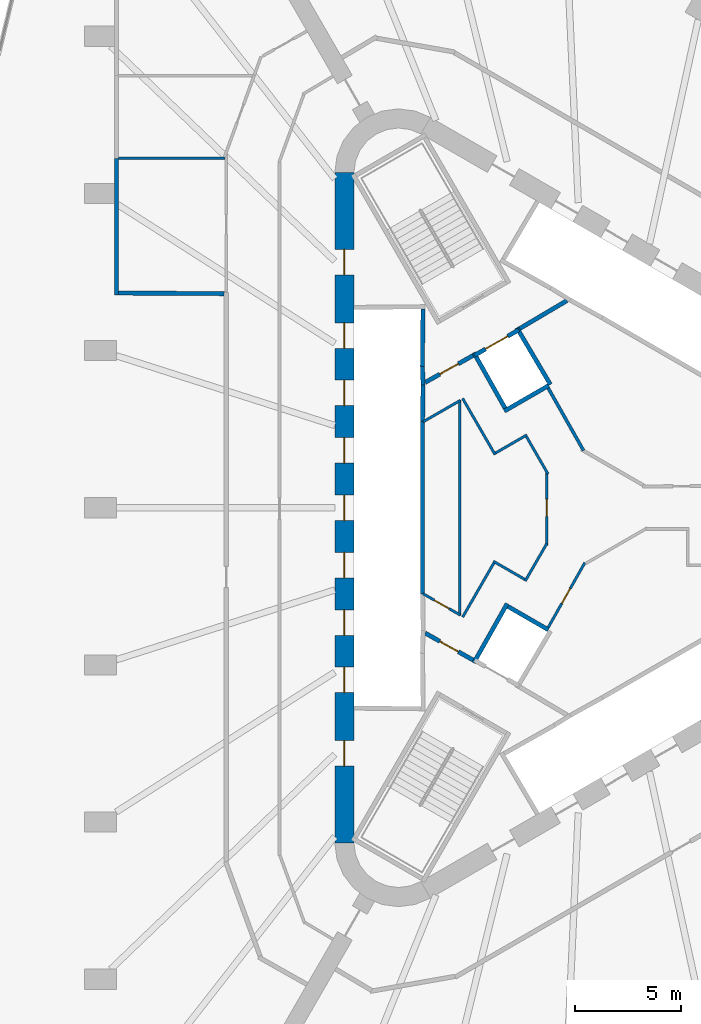
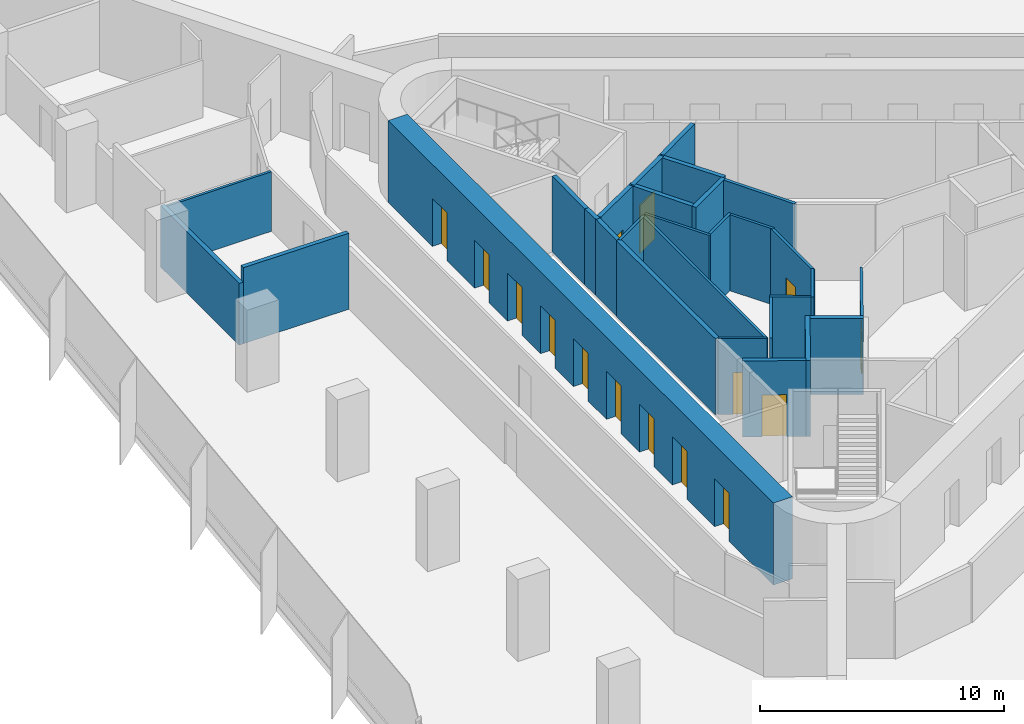
# One storey, part 10 of 14: 29 walls, 15 doors, 15 openings.
"""IFC4 building model written with IfcOpenShell, lengths in metres."""

from ifc_helpers import new_model, si_unit, direction, frame, frame_2d, origin, place, context, subcontext, project, spatial, rectangle, extrude, material, layer, layer_set, type_object, element, fill, save


model = new_model("IFC4")

# Units and contexts
model_context = context("Model", 3, precision=1e-05, world=origin(), true_north=direction((0.0, 1.0)))
body_context = subcontext(model_context, "Body", "Model", "MODEL_VIEW")
ifc_project = project(units=[si_unit("LENGTHUNIT", "METRE"), si_unit("AREAUNIT", "SQUARE_METRE"), si_unit("VOLUMEUNIT", "CUBIC_METRE"), si_unit("PLANEANGLEUNIT", "RADIAN"), si_unit("MASSUNIT", "GRAM", prefix="KILO")], contexts=[model_context])

# Site, building, storey
site_placement = place(None, origin())
site = spatial("IfcSite", under=ifc_project, at=site_placement, CompositionType="ELEMENT")
building_placement = place(site_placement, origin())
building = spatial("IfcBuilding", under=site, at=building_placement, Name="Tanit Gate Tower", CompositionType="ELEMENT")
storey_placement = place(building_placement, frame((0.0, 0.0, 90.60009765625)))
storey = spatial("IfcBuildingStorey", under=building, at=storey_placement, Name="L18", CompositionType="ELEMENT", Elevation=90.60009765625)

# Wall, openings, doors
ifc_material_1 = material(Name="Concrete C60/75", Category="concrete")
ifc_layer_1 = layer(ifc_material_1, 0.89990234375)
ifc_layer_set_1 = layer_set([ifc_layer_1], Name="CORE WALL 900 C60/75")
wall_type_1 = type_object("IfcWallType", Name="CORE WALL 900 C60/75", PredefinedType="SHEAR", material=ifc_layer_set_1)
wall_1_placement = place(storey_placement, frame((-11.64990234375, 15.76171875, 0.0), z_axis=(0.0, 0.0, 1.0), x_axis=(0.0, -1.0, 0.0)))
wall_1 = element("IfcWall", 1, at=wall_1_placement, inside=storey, type_object=wall_type_1, Name="CORE WALL", PredefinedType="SHEAR", context=body_context, shape_type="SweptSolid", body=[
    extrude(rectangle(XDim=31.5234375, YDim=0.89990234375, at=frame_2d((15.76171875, 0.0))), origin(), (0.0, 0.0, 1.0), 4.099853515625),
])
opening_1_placement = place(wall_1_placement, frame((7.061767578125, 0.0, 0.0)))
opening_1 = element("IfcOpeningElement", 2, at=opening_1_placement, cuts=wall_1, Name="Opening LDLL1-S03", PredefinedType="OPENING", context=body_context, shape_type="SweptSolid", body=[
    extrude(rectangle(XDim=1.199951171875, YDim=2.39990234375, at=frame_2d((0.60009765625, 1.199951171875))), frame((0.0, 0.4599609375, 0.0), z_axis=(0.0, -1.0, 0.0), x_axis=(1.0, 0.0, 0.0)), (0.0, 0.0, 1.0), 0.919921875),
])
opening_2_placement = place(wall_1_placement, frame((9.76171875, 0.0, 0.0)))
opening_2 = element("IfcOpeningElement", 3, at=opening_2_placement, cuts=wall_1, Name="Opening LDLL2-S03", PredefinedType="OPENING", context=body_context, shape_type="SweptSolid", body=[
    extrude(rectangle(XDim=1.199951171875, YDim=2.39990234375, at=frame_2d((0.60009765625, 1.199951171875))), frame((0.0, 0.4599609375, 0.0), z_axis=(0.0, -1.0, 0.0), x_axis=(1.0, 0.0, 0.0)), (0.0, 0.0, 1.0), 0.919921875),
])
opening_3_placement = place(wall_1_placement, frame((12.461669921875, 0.0, 0.0)))
opening_3 = element("IfcOpeningElement", 4, at=opening_3_placement, cuts=wall_1, Name="Opening LDLL3-S03", PredefinedType="OPENING", context=body_context, shape_type="SweptSolid", body=[
    extrude(rectangle(XDim=1.199951171875, YDim=2.39990234375, at=frame_2d((0.60009765625, 1.199951171875))), frame((0.0, 0.4599609375, 0.0), z_axis=(0.0, -1.0, 0.0), x_axis=(1.0, 0.0, 0.0)), (0.0, 0.0, 1.0), 0.919921875),
])
opening_4_placement = place(wall_1_placement, frame((15.16162109375, 0.0, 0.0)))
opening_4 = element("IfcOpeningElement", 5, at=opening_4_placement, cuts=wall_1, Name="Opening LDLL4-S03", PredefinedType="OPENING", context=body_context, shape_type="SweptSolid", body=[
    extrude(rectangle(XDim=1.199951171875, YDim=2.39990234375, at=frame_2d((0.60009765625, 1.199951171875))), frame((0.0, 0.4599609375, 0.0), z_axis=(0.0, -1.0, 0.0), x_axis=(1.0, 0.0, 0.0)), (0.0, 0.0, 1.0), 0.919921875),
])
opening_5_placement = place(wall_1_placement, frame((17.86181640625, 0.0, 0.0)))
opening_5 = element("IfcOpeningElement", 6, at=opening_5_placement, cuts=wall_1, Name="Opening LDLL5-S03", PredefinedType="OPENING", context=body_context, shape_type="SweptSolid", body=[
    extrude(rectangle(XDim=1.199951171875, YDim=2.39990234375, at=frame_2d((0.60009765625, 1.199951171875))), frame((0.0, 0.4599609375, 0.0), z_axis=(0.0, -1.0, 0.0), x_axis=(1.0, 0.0, 0.0)), (0.0, 0.0, 1.0), 0.919921875),
])
opening_6_placement = place(wall_1_placement, frame((20.561767578125, 0.0, 0.0)))
opening_6 = element("IfcOpeningElement", 7, at=opening_6_placement, cuts=wall_1, Name="Opening LDLL6-S03", PredefinedType="OPENING", context=body_context, shape_type="SweptSolid", body=[
    extrude(rectangle(XDim=1.199951171875, YDim=2.39990234375, at=frame_2d((0.60009765625, 1.199951171875))), frame((0.0, 0.4599609375, 0.0), z_axis=(0.0, -1.0, 0.0), x_axis=(1.0, 0.0, 0.0)), (0.0, 0.0, 1.0), 0.919921875),
])
opening_7_placement = place(wall_1_placement, frame((23.26171875, 0.0, 0.0)))
opening_7 = element("IfcOpeningElement", 8, at=opening_7_placement, cuts=wall_1, Name="Opening LDLL7-S03", PredefinedType="OPENING", context=body_context, shape_type="SweptSolid", body=[
    extrude(rectangle(XDim=1.199951171875, YDim=2.39990234375, at=frame_2d((0.60009765625, 1.199951171875))), frame((0.0, 0.4599609375, 0.0), z_axis=(0.0, -1.0, 0.0), x_axis=(1.0, 0.0, 0.0)), (0.0, 0.0, 1.0), 0.919921875),
])
opening_8_placement = place(wall_1_placement, frame((3.61181640625, 0.0, 0.0)))
opening_8 = element("IfcOpeningElement", 9, at=opening_8_placement, cuts=wall_1, Name="Opening F12-S03-FL2", PredefinedType="OPENING", context=body_context, shape_type="SweptSolid", body=[
    extrude(rectangle(XDim=1.199951171875, YDim=2.39990234375, at=frame_2d((0.60009765625, 1.199951171875))), frame((0.0, 0.4599609375, 0.0), z_axis=(0.0, -1.0, 0.0), x_axis=(1.0, 0.0, 0.0)), (0.0, 0.0, 1.0), 0.919921875),
])
opening_9_placement = place(wall_1_placement, frame((26.711669921875, 0.0, 0.0)))
opening_9 = element("IfcOpeningElement", 10, at=opening_9_placement, cuts=wall_1, Name="Opening F12-S03-S3", PredefinedType="OPENING", context=body_context, shape_type="SweptSolid", body=[
    extrude(rectangle(XDim=1.199951171875, YDim=2.39990234375, at=frame_2d((0.60009765625, 1.199951171875))), frame((0.0, 0.4599609375, 0.0), z_axis=(0.0, -1.0, 0.0), x_axis=(1.0, 0.0, 0.0)), (0.0, 0.0, 1.0), 0.919921875),
])
ifc_material_2 = material(Name="Fire-rated steel door leaf", Category="steel")
door_type_1 = type_object("IfcDoorType", Name="INT-DOOR-FIRE-LOBBY-1200", OperationType="NOTDEFINED", PredefinedType="USERDEFINED", material=ifc_material_2)
door_1_placement = place(opening_8_placement, origin())
door_1 = element("IfcDoor", 11, at=door_1_placement, inside=storey, type_object=door_type_1, Name="Door F12-S03-FL2", ObjectType="FIRE DOOR", OperationType="SINGLE_SWING_LEFT", OverallHeight=2.39990234375, OverallWidth=1.199951171875, PredefinedType="USERDEFINED", context=body_context, shape_type="SweptSolid", body=[
    extrude(rectangle(XDim=1.199951171875, YDim=2.39990234375, at=frame_2d((0.60009765625, 1.199951171875))), frame((0.0, 0.02490234375, 0.0), z_axis=(0.0, -1.0, 0.0), x_axis=(1.0, 0.0, 0.0)), (0.0, 0.0, 1.0), 0.050048828125),
])
fill(opening_8, door_1)
door_2_placement = place(opening_9_placement, origin())
door_2 = element("IfcDoor", 12, at=door_2_placement, inside=storey, type_object=door_type_1, Name="Door F12-S03-S3", ObjectType="FIRE DOOR", OperationType="SINGLE_SWING_RIGHT", OverallHeight=2.39990234375, OverallWidth=1.199951171875, PredefinedType="USERDEFINED", context=body_context, shape_type="SweptSolid", body=[
    extrude(rectangle(XDim=1.199951171875, YDim=2.39990234375, at=frame_2d((0.60009765625, 1.199951171875))), frame((0.0, 0.02490234375, 0.0), z_axis=(0.0, -1.0, 0.0), x_axis=(1.0, 0.0, 0.0)), (0.0, 0.0, 1.0), 0.050048828125),
])
fill(opening_9, door_2)
ifc_material_3 = material(Name="Stainless steel sliding door leaf", Category="steel")
door_type_2 = type_object("IfcDoorType", Name="INT-DOOR-LANDING-1200", OperationType="NOTDEFINED", PredefinedType="USERDEFINED", material=ifc_material_3)
door_3_placement = place(opening_1_placement, origin())
door_3 = element("IfcDoor", 13, at=door_3_placement, inside=storey, type_object=door_type_2, Name="Door LDLL1-S03", ObjectType="LANDING DOOR", OperationType="SLIDING_TO_LEFT", OverallHeight=2.39990234375, OverallWidth=1.199951171875, PredefinedType="USERDEFINED", context=body_context, shape_type="SweptSolid", body=[
    extrude(rectangle(XDim=1.199951171875, YDim=2.39990234375, at=frame_2d((0.60009765625, 1.199951171875))), frame((0.0, 0.02490234375, 0.0), z_axis=(0.0, -1.0, 0.0), x_axis=(1.0, 0.0, 0.0)), (0.0, 0.0, 1.0), 0.050048828125),
])
fill(opening_1, door_3)
door_4_placement = place(opening_2_placement, origin())
door_4 = element("IfcDoor", 14, at=door_4_placement, inside=storey, type_object=door_type_2, Name="Door LDLL2-S03", ObjectType="LANDING DOOR", OperationType="SLIDING_TO_LEFT", OverallHeight=2.39990234375, OverallWidth=1.199951171875, PredefinedType="USERDEFINED", context=body_context, shape_type="SweptSolid", body=[
    extrude(rectangle(XDim=1.199951171875, YDim=2.39990234375, at=frame_2d((0.60009765625, 1.199951171875))), frame((0.0, 0.02490234375, 0.0), z_axis=(0.0, -1.0, 0.0), x_axis=(1.0, 0.0, 0.0)), (0.0, 0.0, 1.0), 0.050048828125),
])
fill(opening_2, door_4)
door_5_placement = place(opening_3_placement, origin())
door_5 = element("IfcDoor", 15, at=door_5_placement, inside=storey, type_object=door_type_2, Name="Door LDLL3-S03", ObjectType="LANDING DOOR", OperationType="SLIDING_TO_LEFT", OverallHeight=2.39990234375, OverallWidth=1.199951171875, PredefinedType="USERDEFINED", context=body_context, shape_type="SweptSolid", body=[
    extrude(rectangle(XDim=1.199951171875, YDim=2.39990234375, at=frame_2d((0.60009765625, 1.199951171875))), frame((0.0, 0.02490234375, 0.0), z_axis=(0.0, -1.0, 0.0), x_axis=(1.0, 0.0, 0.0)), (0.0, 0.0, 1.0), 0.050048828125),
])
fill(opening_3, door_5)
door_6_placement = place(opening_4_placement, origin())
door_6 = element("IfcDoor", 16, at=door_6_placement, inside=storey, type_object=door_type_2, Name="Door LDLL4-S03", ObjectType="LANDING DOOR", OperationType="SLIDING_TO_LEFT", OverallHeight=2.39990234375, OverallWidth=1.199951171875, PredefinedType="USERDEFINED", context=body_context, shape_type="SweptSolid", body=[
    extrude(rectangle(XDim=1.199951171875, YDim=2.39990234375, at=frame_2d((0.60009765625, 1.199951171875))), frame((0.0, 0.02490234375, 0.0), z_axis=(0.0, -1.0, 0.0), x_axis=(1.0, 0.0, 0.0)), (0.0, 0.0, 1.0), 0.050048828125),
])
fill(opening_4, door_6)
door_7_placement = place(opening_5_placement, origin())
door_7 = element("IfcDoor", 17, at=door_7_placement, inside=storey, type_object=door_type_2, Name="Door LDLL5-S03", ObjectType="LANDING DOOR", OperationType="SLIDING_TO_LEFT", OverallHeight=2.39990234375, OverallWidth=1.199951171875, PredefinedType="USERDEFINED", context=body_context, shape_type="SweptSolid", body=[
    extrude(rectangle(XDim=1.199951171875, YDim=2.39990234375, at=frame_2d((0.60009765625, 1.199951171875))), frame((0.0, 0.02490234375, 0.0), z_axis=(0.0, -1.0, 0.0), x_axis=(1.0, 0.0, 0.0)), (0.0, 0.0, 1.0), 0.050048828125),
])
fill(opening_5, door_7)
door_8_placement = place(opening_6_placement, origin())
door_8 = element("IfcDoor", 18, at=door_8_placement, inside=storey, type_object=door_type_2, Name="Door LDLL6-S03", ObjectType="LANDING DOOR", OperationType="SLIDING_TO_LEFT", OverallHeight=2.39990234375, OverallWidth=1.199951171875, PredefinedType="USERDEFINED", context=body_context, shape_type="SweptSolid", body=[
    extrude(rectangle(XDim=1.199951171875, YDim=2.39990234375, at=frame_2d((0.60009765625, 1.199951171875))), frame((0.0, 0.02490234375, 0.0), z_axis=(0.0, -1.0, 0.0), x_axis=(1.0, 0.0, 0.0)), (0.0, 0.0, 1.0), 0.050048828125),
])
fill(opening_6, door_8)
door_9_placement = place(opening_7_placement, origin())
door_9 = element("IfcDoor", 19, at=door_9_placement, inside=storey, type_object=door_type_2, Name="Door LDLL7-S03", ObjectType="LANDING DOOR", OperationType="SLIDING_TO_LEFT", OverallHeight=2.39990234375, OverallWidth=1.199951171875, PredefinedType="USERDEFINED", context=body_context, shape_type="SweptSolid", body=[
    extrude(rectangle(XDim=1.199951171875, YDim=2.39990234375, at=frame_2d((0.60009765625, 1.199951171875))), frame((0.0, 0.02490234375, 0.0), z_axis=(0.0, -1.0, 0.0), x_axis=(1.0, 0.0, 0.0)), (0.0, 0.0, 1.0), 0.050048828125),
])
fill(opening_7, door_9)

# Wall
ifc_material_4 = material(Name="Fire-rated gypsum board partition")
ifc_layer_2 = layer(ifc_material_4, 0.199951171875)
ifc_layer_set_2 = layer_set([ifc_layer_2], Name="INT-WALL-COMPARTMENT")
wall_type_2 = type_object("IfcWallType", Name="INT-WALL-COMPARTMENT", PredefinedType="PARTITIONING", material=ifc_layer_set_2)
wall_2_placement = place(storey_placement, frame((-1.1796875, 9.744384765625, 0.0), z_axis=(0.0, 0.0, 1.0), x_axis=(-0.860615607571, -0.509255118781, 0.0)))
element("IfcWall", 20, at=wall_2_placement, inside=storey, type_object=wall_type_2, Name="Wall Compartment W061", PredefinedType="PARTITIONING", context=body_context, shape_type="SweptSolid", body=[
    extrude(rectangle(XDim=2.58056640625, YDim=0.199951171875, at=frame_2d((1.290283203125, 0.0))), origin(), (0.0, 0.0, 1.0), 3.7998046875),
])

# Wall, opening, door
wall_3_placement = place(storey_placement, frame((-5.600341796875, 7.16015625, 0.0), z_axis=(0.0, 0.0, 1.0), x_axis=(-0.871363259478, -0.490638431059, 0.0)))
wall_3 = element("IfcWall", 21, at=wall_3_placement, inside=storey, type_object=wall_type_2, Name="Wall Compartment W062", PredefinedType="PARTITIONING", context=body_context, shape_type="SweptSolid", body=[
    extrude(rectangle(XDim=2.5810546875, YDim=0.199951171875, at=frame_2d((1.29052734375, 0.0))), origin(), (0.0, 0.0, 1.0), 3.7998046875),
])
opening_10_placement = place(wall_3_placement, frame((0.79052734375, 0.0, 0.0)))
opening_10 = element("IfcOpeningElement", 22, at=opening_10_placement, cuts=wall_3, Name="Opening F10-S03-05", PredefinedType="OPENING", context=body_context, shape_type="SweptSolid", body=[
    extrude(rectangle(XDim=1.0, YDim=2.10009765625, at=frame_2d((0.5, 1.050048828125))), frame((0.0, 0.10986328125, 0.0), z_axis=(0.0, -1.0, 0.0), x_axis=(1.0, 0.0, 0.0)), (0.0, 0.0, 1.0), 0.219970703125),
])
ifc_material_5 = material(Name="Fire-rated steel door leaf", Category="steel")
door_type_3 = type_object("IfcDoorType", Name="INT-DOOR-FIRE-1000", OperationType="NOTDEFINED", PredefinedType="USERDEFINED", material=ifc_material_5)
door_10_placement = place(opening_10_placement, origin())
door_10 = element("IfcDoor", 23, at=door_10_placement, inside=storey, type_object=door_type_3, Name="Door F10-S03-05", ObjectType="FIRE DOOR", OperationType="SINGLE_SWING_RIGHT", OverallHeight=2.10009765625, OverallWidth=1.0, PredefinedType="USERDEFINED", context=body_context, shape_type="SweptSolid", body=[
    extrude(rectangle(XDim=1.0, YDim=2.10009765625, at=frame_2d((0.5, 1.050048828125))), frame((0.0, 0.02490234375, 0.0), z_axis=(0.0, -1.0, 0.0), x_axis=(1.0, 0.0, 0.0)), (0.0, 0.0, 1.0), 0.050048828125),
])
fill(opening_10, door_10)

wall_4_placement = place(storey_placement, frame((-7.849365234375, -5.893798828125, 0.0), z_axis=(0.0, 0.0, 1.0), x_axis=(0.871363259478, -0.490638431059, 0.0)))
wall_4 = element("IfcWall", 24, at=wall_4_placement, inside=storey, type_object=wall_type_2, Name="Wall Compartment W064", PredefinedType="PARTITIONING", context=body_context, shape_type="SweptSolid", body=[
    extrude(rectangle(XDim=2.5810546875, YDim=0.199951171875, at=frame_2d((1.29052734375, 0.0))), origin(), (0.0, 0.0, 1.0), 3.7998046875),
])
opening_11_placement = place(wall_4_placement, frame((0.79052734375, 0.0, 0.0)))
opening_11 = element("IfcOpeningElement", 25, at=opening_11_placement, cuts=wall_4, Name="Opening F10-S03-08", PredefinedType="OPENING", context=body_context, shape_type="SweptSolid", body=[
    extrude(rectangle(XDim=1.0, YDim=2.10009765625, at=frame_2d((0.5, 1.050048828125))), frame((0.0, 0.10986328125, 0.0), z_axis=(0.0, -1.0, 0.0), x_axis=(1.0, 0.0, 0.0)), (0.0, 0.0, 1.0), 0.219970703125),
])
door_11_placement = place(opening_11_placement, origin())
door_11 = element("IfcDoor", 26, at=door_11_placement, inside=storey, type_object=door_type_3, Name="Door F10-S03-08", ObjectType="FIRE DOOR", OperationType="SINGLE_SWING_LEFT", OverallHeight=2.10009765625, OverallWidth=1.0, PredefinedType="USERDEFINED", context=body_context, shape_type="SweptSolid", body=[
    extrude(rectangle(XDim=1.0, YDim=2.10009765625, at=frame_2d((0.5, 1.050048828125))), frame((0.0, 0.02490234375, 0.0), z_axis=(0.0, -1.0, 0.0), x_axis=(1.0, 0.0, 0.0)), (0.0, 0.0, 1.0), 0.050048828125),
])
fill(opening_11, door_11)

# Walls
wall_5_placement = place(storey_placement, frame((-22.3701171875, 10.0, 0.0), z_axis=(0.0, 0.0, 1.0), x_axis=(0.0, 1.0, 0.0)))
element("IfcWall", 27, at=wall_5_placement, inside=storey, type_object=wall_type_2, Name="Wall Compartment W111", PredefinedType="PARTITIONING", context=body_context, shape_type="SweptSolid", body=[
    extrude(rectangle(XDim=6.431396484375, YDim=0.199951171875, at=frame_2d((3.2158203125, 0.0))), origin(), (0.0, 0.0, 1.0), 3.079833984375),
])
wall_6_placement = place(storey_placement, frame((-17.300048828125, 10.070556640625, 0.0), z_axis=(0.0, 0.0, 1.0), x_axis=(-0.999983200532, 0.005796434527, 0.0)))
element("IfcWall", 28, at=wall_6_placement, inside=storey, type_object=wall_type_2, Name="Wall Compartment W112", PredefinedType="PARTITIONING", context=body_context, shape_type="SweptSolid", body=[
    extrude(rectangle(XDim=4.969970703125, YDim=0.199951171875, at=frame_2d((2.48486328125, 0.0))), origin(), (0.0, 0.0, 1.0), 3.7998046875),
])

# Wall, opening, door
ifc_material_6 = material(Name="Gypsum board partition")
ifc_layer_3 = layer(ifc_material_6, 0.1201171875)
ifc_layer_set_3 = layer_set([ifc_layer_3], Name="INT-WALL-PARTITION")
wall_type_3 = type_object("IfcWallType", Name="INT-WALL-PARTITION", PredefinedType="PARTITIONING", material=ifc_layer_set_3)
wall_7_placement = place(storey_placement, frame((-0.339599609375, -2.58642578125, 0.0), z_axis=(0.0, 0.0, 1.0), x_axis=(-0.492647196214, -0.870229130782, 0.0)))
wall_7 = element("IfcWall", 29, at=wall_7_placement, inside=storey, type_object=wall_type_3, Name="Wall Partition W068", PredefinedType="PARTITIONING", context=body_context, shape_type="SweptSolid", body=[
    extrude(rectangle(XDim=3.490234375, YDim=0.1201171875, at=frame_2d((1.7451171875, 0.0))), origin(), (0.0, 0.0, 1.0), 3.7998046875),
])
opening_12_placement = place(wall_7_placement, frame((1.396240234375, 0.0, 0.0)))
opening_12 = element("IfcOpeningElement", 30, at=opening_12_placement, cuts=wall_7, Name="Opening R08-S03-11", PredefinedType="OPENING", context=body_context, shape_type="SweptSolid", body=[
    extrude(rectangle(XDim=0.800048828125, YDim=2.10009765625, at=frame_2d((0.39990234375, 1.050048828125))), frame((0.0, 0.070068359375, 0.0), z_axis=(0.0, -1.0, 0.0), x_axis=(1.0, 0.0, 0.0)), (0.0, 0.0, 1.0), 0.14013671875),
])
ifc_material_7 = material(Name="Timber door leaf", Category="wood")
door_type_4 = type_object("IfcDoorType", Name="INT-DOOR-RISER-800", OperationType="NOTDEFINED", PredefinedType="USERDEFINED", material=ifc_material_7)
door_12_placement = place(opening_12_placement, origin())
door_12 = element("IfcDoor", 31, at=door_12_placement, inside=storey, type_object=door_type_4, Name="Door R08-S03-11", ObjectType="FIRE DOOR", OperationType="SINGLE_SWING_RIGHT", OverallHeight=2.10009765625, OverallWidth=0.800048828125, PredefinedType="USERDEFINED", context=body_context, shape_type="SweptSolid", body=[
    extrude(rectangle(XDim=0.800048828125, YDim=2.10009765625, at=frame_2d((0.39990234375, 1.050048828125))), frame((0.0, 0.02490234375, 0.0), z_axis=(0.0, -1.0, 0.0), x_axis=(1.0, 0.0, 0.0)), (0.0, 0.0, 1.0), 0.050048828125),
])
fill(opening_12, door_12)

# Wall
wall_8_placement = place(storey_placement, frame((-6.2314453125, 5.0625, 0.0), z_axis=(0.0, 0.0, 1.0), x_axis=(0.0, -1.0, 0.0)))
element("IfcWall", 32, at=wall_8_placement, inside=storey, type_object=wall_type_3, Name="Wall Partition W074", PredefinedType="PARTITIONING", context=body_context, shape_type="SweptSolid", body=[
    extrude(rectangle(XDim=10.125, YDim=0.1201171875, at=frame_2d((5.0625, 0.0))), origin(), (0.0, 0.0, 1.0), 3.7998046875),
])

# Wall, opening, door
wall_9_placement = place(storey_placement, frame((-7.949951171875, -4.041015625, 0.0), z_axis=(0.0, 0.0, 1.0), x_axis=(0.867071050325, -0.498184497639, 0.0)))
wall_9 = element("IfcWall", 33, at=wall_9_placement, inside=storey, type_object=wall_type_3, Name="Wall Partition W075", PredefinedType="PARTITIONING", context=body_context, shape_type="SweptSolid", body=[
    extrude(rectangle(XDim=2.0166015625, YDim=0.1201171875, at=frame_2d((1.00830078125, 0.0))), origin(), (0.0, 0.0, 1.0), 3.7998046875),
])
opening_13_placement = place(wall_9_placement, frame((0.6083984375, 0.0, 0.0)))
opening_13 = element("IfcOpeningElement", 34, at=opening_13_placement, cuts=wall_9, Name="Opening R08-S03-12", PredefinedType="OPENING", context=body_context, shape_type="SweptSolid", body=[
    extrude(rectangle(XDim=0.800048828125, YDim=2.10009765625, at=frame_2d((0.39990234375, 1.050048828125))), frame((0.0, 0.070068359375, 0.0), z_axis=(0.0, -1.0, 0.0), x_axis=(1.0, 0.0, 0.0)), (0.0, 0.0, 1.0), 0.14013671875),
])
door_13_placement = place(opening_13_placement, origin())
door_13 = element("IfcDoor", 35, at=door_13_placement, inside=storey, type_object=door_type_4, Name="Door R08-S03-12", ObjectType="FIRE DOOR", OperationType="SINGLE_SWING_LEFT", OverallHeight=2.10009765625, OverallWidth=0.800048828125, PredefinedType="USERDEFINED", context=body_context, shape_type="SweptSolid", body=[
    extrude(rectangle(XDim=0.800048828125, YDim=2.10009765625, at=frame_2d((0.39990234375, 1.050048828125))), frame((0.0, 0.02490234375, 0.0), z_axis=(0.0, -1.0, 0.0), x_axis=(1.0, 0.0, 0.0)), (0.0, 0.0, 1.0), 0.050048828125),
])
fill(opening_13, door_13)

# Walls
wall_10_placement = place(storey_placement, frame((-6.201416015625, 5.045654296875, 0.0), z_axis=(0.0, 0.0, 1.0), x_axis=(-0.867071050325, -0.498184497639, 0.0)))
element("IfcWall", 36, at=wall_10_placement, inside=storey, type_object=wall_type_3, Name="Wall Partition W076", PredefinedType="PARTITIONING", context=body_context, shape_type="SweptSolid", body=[
    extrude(rectangle(XDim=2.0166015625, YDim=0.1201171875, at=frame_2d((1.00830078125, 0.0))), origin(), (0.0, 0.0, 1.0), 3.7998046875),
])
wall_11_placement = place(storey_placement, frame((-4.558349609375, 2.4951171875, 0.0), z_axis=(0.0, 0.0, 1.0), x_axis=(-0.499991792115, 0.866030142557, 0.0)))
element("IfcWall", 37, at=wall_11_placement, inside=storey, type_object=wall_type_3, Name="Wall Partition W077", PredefinedType="PARTITIONING", context=body_context, shape_type="SweptSolid", body=[
    extrude(rectangle(XDim=3.06005859375, YDim=0.1201171875, at=frame_2d((1.530029296875, 0.0))), origin(), (0.0, 0.0, 1.0), 3.7998046875),
])
wall_12_placement = place(storey_placement, frame((-3.06396484375, 3.427001953125, 0.0), z_axis=(0.0, 0.0, 1.0), x_axis=(-0.866087547558, -0.499892348375, 0.0)))
element("IfcWall", 38, at=wall_12_placement, inside=storey, type_object=wall_type_3, Name="Wall Partition W078", PredefinedType="PARTITIONING", context=body_context, shape_type="SweptSolid", body=[
    extrude(rectangle(XDim=1.699951171875, YDim=0.1201171875, at=frame_2d((0.85009765625, 0.0))), origin(), (0.0, 0.0, 1.0), 3.7998046875),
])
wall_13_placement = place(storey_placement, frame((-2.06982421875, 1.5849609375, 0.0), z_axis=(0.0, 0.0, 1.0), x_axis=(-0.499937346687, 0.86606157367, 0.0)))
element("IfcWall", 39, at=wall_13_placement, inside=storey, type_object=wall_type_3, Name="Wall Partition W079", PredefinedType="PARTITIONING", context=body_context, shape_type="SweptSolid", body=[
    extrude(rectangle(XDim=2.032470703125, YDim=0.1201171875, at=frame_2d((1.01611328125, 0.0))), origin(), (0.0, 0.0, 1.0), 3.7998046875),
])

# Wall, opening, door
wall_14_placement = place(storey_placement, frame((-2.121826171875, -1.77880859375, 0.0), z_axis=(0.0, 0.0, 1.0), x_axis=(0.0, 1.0, 0.0)))
wall_14 = element("IfcWall", 40, at=wall_14_placement, inside=storey, type_object=wall_type_3, Name="Wall Partition W080", PredefinedType="PARTITIONING", context=body_context, shape_type="SweptSolid", body=[
    extrude(rectangle(XDim=3.435302734375, YDim=0.1201171875, at=frame_2d((1.7177734375, 0.0))), origin(), (0.0, 0.0, 1.0), 3.7998046875),
])
opening_14_placement = place(wall_14_placement, frame((1.36962890625, 0.0, 0.0)))
opening_14 = element("IfcOpeningElement", 41, at=opening_14_placement, cuts=wall_14, Name="Opening R08-S03-13", PredefinedType="OPENING", context=body_context, shape_type="SweptSolid", body=[
    extrude(rectangle(XDim=0.800048828125, YDim=2.10009765625, at=frame_2d((0.39990234375, 1.050048828125))), frame((0.0, 0.070068359375, 0.0), z_axis=(0.0, -1.0, 0.0), x_axis=(1.0, 0.0, 0.0)), (0.0, 0.0, 1.0), 0.14013671875),
])
door_14_placement = place(opening_14_placement, origin())
door_14 = element("IfcDoor", 42, at=door_14_placement, inside=storey, type_object=door_type_4, Name="Door R08-S03-13", ObjectType="FIRE DOOR", OperationType="SINGLE_SWING_RIGHT", OverallHeight=2.10009765625, OverallWidth=0.800048828125, PredefinedType="USERDEFINED", context=body_context, shape_type="SweptSolid", body=[
    extrude(rectangle(XDim=0.800048828125, YDim=2.10009765625, at=frame_2d((0.39990234375, 1.050048828125))), frame((0.0, 0.02490234375, 0.0), z_axis=(0.0, -1.0, 0.0), x_axis=(1.0, 0.0, 0.0)), (0.0, 0.0, 1.0), 0.050048828125),
])
fill(opening_14, door_14)

# Walls
wall_15_placement = place(storey_placement, frame((-3.14599609375, -3.448974609375, 0.0), z_axis=(0.0, 0.0, 1.0), x_axis=(0.500007041985, 0.866021338054, 0.0)))
element("IfcWall", 43, at=wall_15_placement, inside=storey, type_object=wall_type_3, Name="Wall Partition W081", PredefinedType="PARTITIONING", context=body_context, shape_type="SweptSolid", body=[
    extrude(rectangle(XDim=2.02978515625, YDim=0.1201171875, at=frame_2d((1.014892578125, 0.0))), origin(), (0.0, 0.0, 1.0), 3.7998046875),
])
wall_16_placement = place(storey_placement, frame((-4.64013671875, -2.51708984375, 0.0), z_axis=(0.0, 0.0, 1.0), x_axis=(0.865989465428, -0.500062241894, 0.0)))
element("IfcWall", 44, at=wall_16_placement, inside=storey, type_object=wall_type_3, Name="Wall Partition W082", PredefinedType="PARTITIONING", context=body_context, shape_type="SweptSolid", body=[
    extrude(rectangle(XDim=1.699951171875, YDim=0.1201171875, at=frame_2d((0.85009765625, 0.0))), origin(), (0.0, 0.0, 1.0), 3.7998046875),
])
wall_17_placement = place(storey_placement, frame((-6.08837890625, -5.145263671875, 0.0), z_axis=(0.0, 0.0, 1.0), x_axis=(0.500050696077, 0.865996132412, 0.0)))
element("IfcWall", 45, at=wall_17_placement, inside=storey, type_object=wall_type_3, Name="Wall Partition W083", PredefinedType="PARTITIONING", context=body_context, shape_type="SweptSolid", body=[
    extrude(rectangle(XDim=2.940185546875, YDim=0.1201171875, at=frame_2d((1.47021484375, 0.0))), origin(), (0.0, 0.0, 1.0), 3.7998046875),
])
wall_18_placement = place(storey_placement, frame((-17.260009765625, 16.431396484375, 0.0), z_axis=(0.0, 0.0, 1.0), x_axis=(-1.0, 0.0, 0.0)))
element("IfcWall", 46, at=wall_18_placement, inside=storey, type_object=wall_type_3, Name="Wall Partition W120", PredefinedType="PARTITIONING", context=body_context, shape_type="SweptSolid", body=[
    extrude(rectangle(XDim=5.010009765625, YDim=0.1201171875, at=frame_2d((2.5048828125, 0.0))), origin(), (0.0, 0.0, 1.0), 2.97998046875),
])
ifc_material_8 = material(Name="Fire-rated gypsum board partition")
ifc_layer_4 = layer(ifc_material_8, 0.14990234375)
ifc_layer_set_4 = layer_set([ifc_layer_4], Name="INT-WALL-RISER")
wall_type_4 = type_object("IfcWallType", Name="INT-WALL-RISER", PredefinedType="PLUMBINGWALL", material=ifc_layer_set_4)
wall_19_placement = place(storey_placement, frame((-2.05908203125, 5.623779296875, 0.0), z_axis=(0.0, 0.0, 1.0), x_axis=(0.49265005812, -0.870227510617, 0.0)))
element("IfcWall", 47, at=wall_19_placement, inside=storey, type_object=wall_type_4, Name="Wall Riser W067", PredefinedType="PLUMBINGWALL", context=body_context, shape_type="SweptSolid", body=[
    extrude(rectangle(XDim=3.364990234375, YDim=0.14990234375, at=frame_2d((1.6826171875, 0.0))), origin(), (0.0, 0.0, 1.0), 3.7998046875),
])
ifc_material_9 = material(Name="Gypsum shaft wall system")
ifc_layer_5 = layer(ifc_material_9, 0.199951171875)
ifc_layer_set_5 = layer_set([ifc_layer_5], Name="INT-WALL-SHAFT")
wall_type_5 = type_object("IfcWallType", Name="INT-WALL-SHAFT", PredefinedType="PLUMBINGWALL", material=ifc_layer_set_5)
wall_20_placement = place(storey_placement, frame((-7.951171875, 9.35009765625, 0.0), z_axis=(0.0, 0.0, 1.0), x_axis=(-0.011120469654, -0.999938165666, 0.0)))
element("IfcWall", 48, at=wall_20_placement, inside=storey, type_object=wall_type_5, Name="Wall Shaft W002", PredefinedType="PLUMBINGWALL", context=body_context, shape_type="SweptSolid", body=[
    extrude(rectangle(XDim=2.700439453125, YDim=0.199951171875, at=frame_2d((1.35009765625, 0.0))), origin(), (0.0, 0.0, 1.0), 3.7998046875),
])
wall_21_placement = place(storey_placement, frame((-7.97705078125, 6.650146484375, 0.0), z_axis=(0.0, 0.0, 1.0), x_axis=(0.030861509705, -0.999523670164, 0.0)))
element("IfcWall", 49, at=wall_21_placement, inside=storey, type_object=wall_type_5, Name="Wall Shaft W004", PredefinedType="PLUMBINGWALL", context=body_context, shape_type="SweptSolid", body=[
    extrude(rectangle(XDim=0.878173828125, YDim=0.199951171875, at=frame_2d((0.43896484375, 0.0))), origin(), (0.0, 0.0, 1.0), 3.7998046875),
])
wall_22_placement = place(storey_placement, frame((-7.94921875, 5.894775390625, 0.0), z_axis=(0.0, 0.0, 1.0), x_axis=(-0.012042535896, -0.999927486035, 0.0)))
element("IfcWall", 50, at=wall_22_placement, inside=storey, type_object=wall_type_5, Name="Wall Shaft W005", PredefinedType="PLUMBINGWALL", context=body_context, shape_type="SweptSolid", body=[
    extrude(rectangle(XDim=1.844970703125, YDim=0.199951171875, at=frame_2d((0.92236328125, 0.0))), origin(), (0.0, 0.0, 1.0), 3.7998046875),
])
wall_23_placement = place(storey_placement, frame((-7.97998046875, 4.050048828125, 0.0), z_axis=(0.0, 0.0, 1.0), x_axis=(0.0, -1.0, 0.0)))
element("IfcWall", 51, at=wall_23_placement, inside=storey, type_object=wall_type_5, Name="Wall Shaft W006", PredefinedType="PLUMBINGWALL", context=body_context, shape_type="SweptSolid", body=[
    extrude(rectangle(XDim=8.10009765625, YDim=0.199951171875, at=frame_2d((4.050048828125, 0.0))), origin(), (0.0, 0.0, 1.0), 3.7998046875),
])

# Wall, opening, door
wall_24_placement = place(storey_placement, frame((-5.524169921875, 7.168212890625, 0.0), z_axis=(0.0, 0.0, 1.0), x_axis=(0.866024647952, 0.500001309137, 0.0)))
wall_24 = element("IfcWall", 52, at=wall_24_placement, inside=storey, type_object=wall_type_5, Name="Wall Shaft W045", PredefinedType="PLUMBINGWALL", context=body_context, shape_type="SweptSolid", body=[
    extrude(rectangle(XDim=2.39990234375, YDim=0.199951171875, at=frame_2d((1.199951171875, 0.0))), origin(), (0.0, 0.0, 1.0), 3.7998046875),
])
opening_15_placement = place(wall_24_placement, frame((0.60009765625, 0.0, 0.0)))
opening_15 = element("IfcOpeningElement", 53, at=opening_15_placement, cuts=wall_24, Name="Opening LDFL2-L18", PredefinedType="OPENING", context=body_context, shape_type="SweptSolid", body=[
    extrude(rectangle(XDim=1.199951171875, YDim=2.39990234375, at=frame_2d((0.60009765625, 1.199951171875))), frame((0.0, 0.10986328125, 0.0), z_axis=(0.0, -1.0, 0.0), x_axis=(1.0, 0.0, 0.0)), (0.0, 0.0, 1.0), 0.219970703125),
])
door_15_placement = place(opening_15_placement, origin())
door_15 = element("IfcDoor", 54, at=door_15_placement, inside=storey, type_object=door_type_2, Name="Door LDFL2-L18", ObjectType="LANDING DOOR", OperationType="SLIDING_TO_LEFT", OverallHeight=2.39990234375, OverallWidth=1.199951171875, PredefinedType="USERDEFINED", context=body_context, shape_type="SweptSolid", body=[
    extrude(rectangle(XDim=1.199951171875, YDim=2.39990234375, at=frame_2d((0.60009765625, 1.199951171875))), frame((0.0, 0.02490234375, 0.0), z_axis=(0.0, -1.0, 0.0), x_axis=(1.0, 0.0, 0.0)), (0.0, 0.0, 1.0), 0.050048828125),
])
fill(opening_15, door_15)

# Walls
wall_25_placement = place(storey_placement, frame((-3.53759765625, 8.46533203125, 0.0), z_axis=(0.0, 0.0, 1.0), x_axis=(0.508647062354, -0.860975125052, 0.0)))
element("IfcWall", 55, at=wall_25_placement, inside=storey, type_object=wall_type_5, Name="Wall Shaft W046", PredefinedType="PLUMBINGWALL", context=body_context, shape_type="SweptSolid", body=[
    extrude(rectangle(XDim=3.10009765625, YDim=0.199951171875, at=frame_2d((1.550048828125, 0.0))), origin(), (0.0, 0.0, 1.0), 3.7998046875),
])
wall_26_placement = place(storey_placement, frame((-2.04345703125, 5.748291015625, 0.0), z_axis=(0.0, 0.0, 1.0), x_axis=(-0.866035096217, -0.499983211839, 0.0)))
element("IfcWall", 56, at=wall_26_placement, inside=storey, type_object=wall_type_5, Name="Wall Shaft W047", PredefinedType="PLUMBINGWALL", context=body_context, shape_type="SweptSolid", body=[
    extrude(rectangle(XDim=2.404296875, YDim=0.199951171875, at=frame_2d((1.2021484375, 0.0))), origin(), (0.0, 0.0, 1.0), 3.7998046875),
])
wall_27_placement = place(storey_placement, frame((-5.5625, 7.29638671875, 0.0), z_axis=(0.0, 0.0, 1.0), x_axis=(0.49134651263, -0.870964180966, 0.0)))
element("IfcWall", 57, at=wall_27_placement, inside=storey, type_object=wall_type_5, Name="Wall Shaft W048", PredefinedType="PLUMBINGWALL", context=body_context, shape_type="SweptSolid", body=[
    extrude(rectangle(XDim=3.000244140625, YDim=0.199951171875, at=frame_2d((1.5, 0.0))), origin(), (0.0, 0.0, 1.0), 3.7998046875),
])
wall_28_placement = place(storey_placement, frame((-3.989990234375, -4.509033203125, 0.0), z_axis=(0.0, 0.0, 1.0), x_axis=(-0.491358283181, -0.870957540612, 0.0)))
element("IfcWall", 58, at=wall_28_placement, inside=storey, type_object=wall_type_5, Name="Wall Shaft W055", PredefinedType="PLUMBINGWALL", context=body_context, shape_type="SweptSolid", body=[
    extrude(rectangle(XDim=3.200439453125, YDim=0.199951171875, at=frame_2d((1.60009765625, 0.0))), origin(), (0.0, 0.0, 1.0), 3.7998046875),
])
wall_29_placement = place(storey_placement, frame((-3.95263671875, -4.646240234375, 0.0), z_axis=(0.0, 0.0, 1.0), x_axis=(0.866038900241, -0.499976622722, 0.0)))
element("IfcWall", 59, at=wall_29_placement, inside=storey, type_object=wall_type_5, Name="Wall Shaft W056", PredefinedType="PLUMBINGWALL", context=body_context, shape_type="SweptSolid", body=[
    extrude(rectangle(XDim=2.189453125, YDim=0.199951171875, at=frame_2d((1.0947265625, 0.0))), origin(), (0.0, 0.0, 1.0), 3.7998046875),
])

save(model, "model.ifc")
